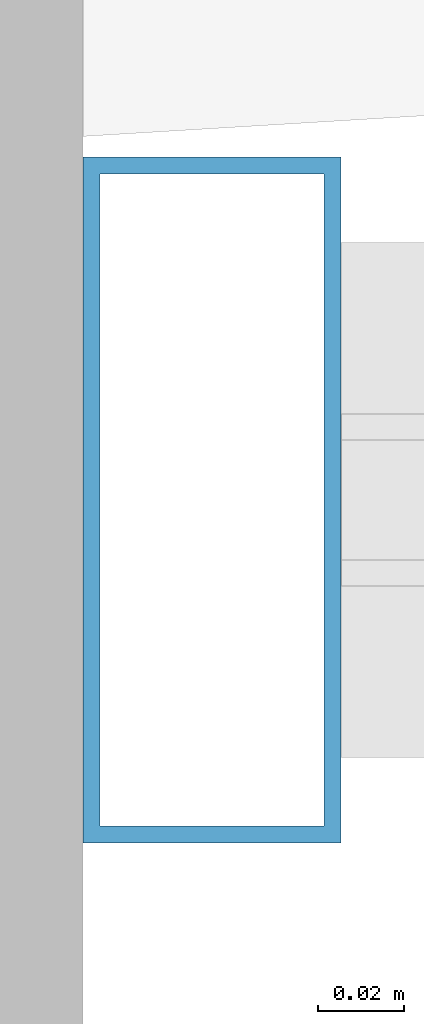
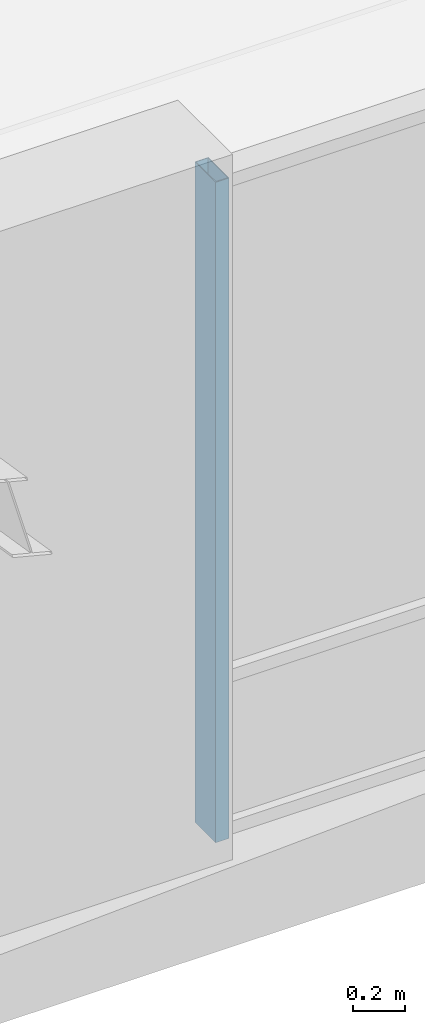
# One storey, part 95 of 189: 1 member, 1 element without a shape of its own.
"""IFC4 building model written with IfcOpenShell, lengths in metres."""

from ifc_helpers import new_model, si_unit, direction, frame, origin, origin_2d, place, context, subcontext, project, spatial, hollow_rectangle, extrude, material, material_profile, profile_set, type_object, element, aggregate, save


model = new_model("IFC4")

# Units and contexts
model_context = context("Model", 3, precision=1e-05, world=origin(), true_north=direction((0.0, 1.0)))
body_context = subcontext(model_context, "Body", "Model", "MODEL_VIEW")
ifc_project = project(units=[si_unit("LENGTHUNIT", "METRE"), si_unit("AREAUNIT", "SQUARE_METRE"), si_unit("VOLUMEUNIT", "CUBIC_METRE"), si_unit("PLANEANGLEUNIT", "RADIAN"), si_unit("MASSUNIT", "GRAM", prefix="KILO")], contexts=[model_context])

# Site, building, storey
site_placement = place(None, origin())
site = spatial("IfcSite", under=ifc_project, at=site_placement, CompositionType="ELEMENT")
building_placement = place(site_placement, origin())
building = spatial("IfcBuilding", under=site, at=building_placement, Name="Zavelmont Quarter", CompositionType="ELEMENT")
storey_placement = place(building_placement, frame((0.0, 0.0, 4.39990234375)))
storey = spatial("IfcBuildingStorey", under=building, at=storey_placement, Name="L01", CompositionType="ELEMENT", Elevation=4.39990234375)

# Curtain wall, member
ifc_material_1 = material(Name="Thermally broken aluminium and double low-E safety glazing", Category="aluminium")
curtain_wall_type = type_object("IfcCurtainWallType", Name="CW-1340X310", PredefinedType="NOTDEFINED", material=ifc_material_1)
curtain_wall_placement = place(storey_placement, origin())
curtain_wall = element("IfcCurtainWall", 1, at=curtain_wall_placement, inside=storey, type_object=curtain_wall_type, Name="L01 unitised curtain wall CW-1340X310", PredefinedType="NOTDEFINED")
ifc_material_2 = material(Name="Powder-coated aluminium EN AW-6063-T6", Category="aluminium")
ifc_material_profile = material_profile(ifc_material_2, hollow_rectangle(XDim=0.06005859375, YDim=0.159912109375, WallThickness=0.00390625, at=origin_2d()), Name="CWM60X160")
ifc_profile_set = profile_set([ifc_material_profile], Name="Powder-coated aluminium EN AW-6063-T6")
member_type = type_object("IfcMemberType", Name="CWM01", PredefinedType="MULLION", material=ifc_profile_set)
member_placement = place(storey_placement, frame((93.429931640625, 101.60009765625, 0.0), z_axis=(0.0, 0.0, 1.0), x_axis=(1.0, 0.0, 0.0)))
member = element("IfcMember", 2, at=member_placement, type_object=member_type, Name="CW-1340X310 mullion 1", PredefinedType="MULLION", context=body_context, shape_type="SweptSolid", body=[
    extrude(hollow_rectangle(XDim=0.06005859375, YDim=0.159912109375, WallThickness=0.00390625, at=origin_2d()), origin(), (0.0, 0.0, 1.0), 3.10009765625),
])
aggregate(curtain_wall, [member])

save(model, "model.ifc")
